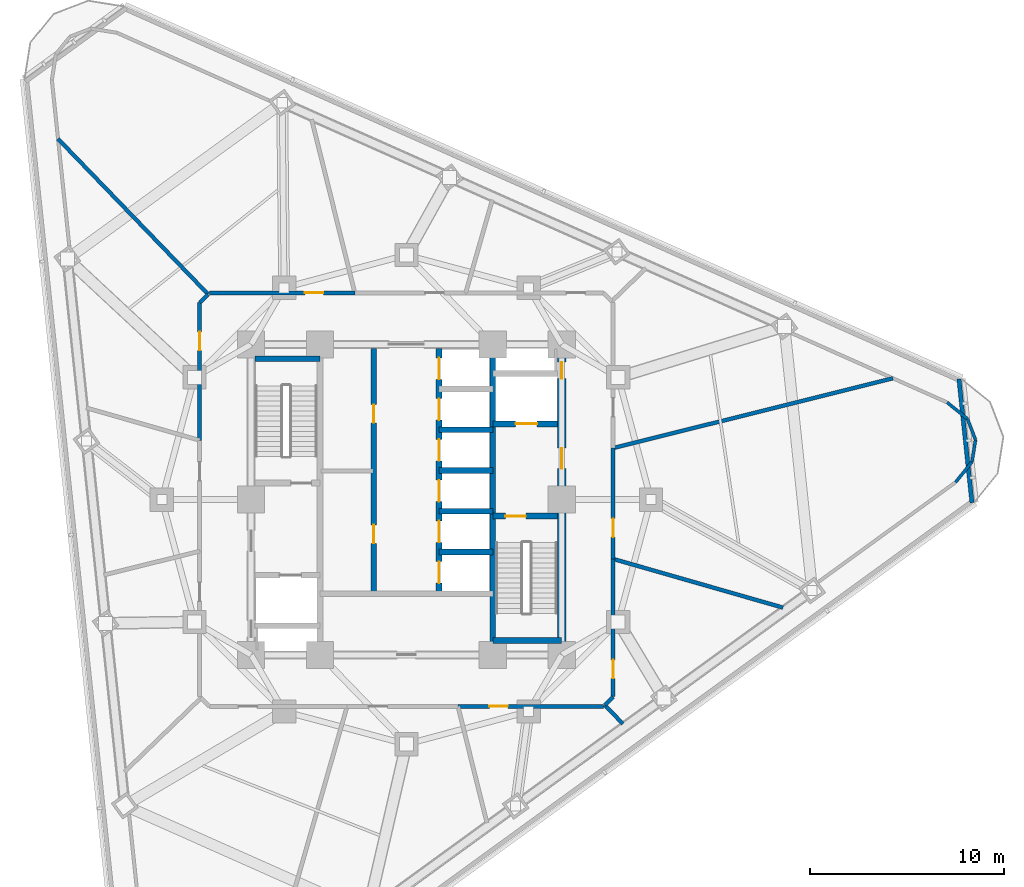
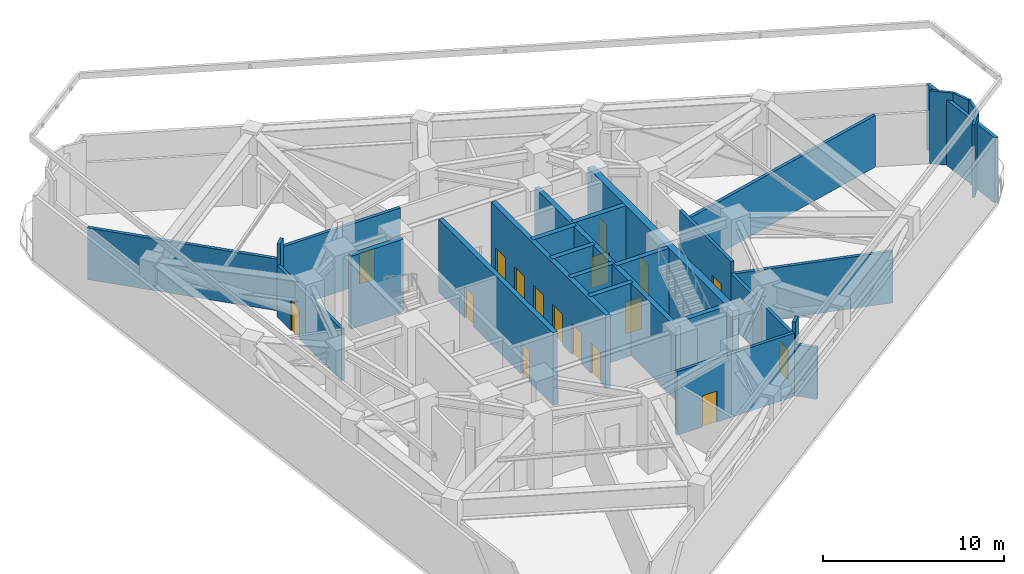
# One storey, part 4 of 10: 28 walls, 17 doors, 17 openings.
"""IFC4 building model written with IfcOpenShell, lengths in metres."""

import ifcopenshell
import ifcopenshell.guid

model = None  # the IFC model being written
_history = None  # IfcOwnerHistory: only IFC2X3 demands one
_inside = {}  # id of a spatial element -> (the spatial element, [elements in it])
_under = {}  # id of a project, library or spatial element -> (it, [spatial elements below it])
_declared = {}  # id of a project -> (the project, [libraries it declares])
_typed = {}  # id of a type object -> (the type object, [elements of that type])
_made_of = {}  # id of a material, layer set ... -> (it, [elements and type objects made of it])


def new_model(schema):
    """Start an empty IFC model of exactly this schema.

    Asked for "IFC4X3", IfcOpenShell would pick the latest addendum, in which some entities
    have other attributes; the version numbers below select the first issue.
    IFC2X3 requires an IfcOwnerHistory on every rooted entity: one is made here for all.
    """
    global model, _history
    if schema == "IFC4X3":
        model = ifcopenshell.file(schema_version=(4, 3, 0, 0))
    else:
        model = ifcopenshell.file(schema=schema)
    _inside.clear()
    _under.clear()
    _declared.clear()
    _typed.clear()
    _made_of.clear()
    _history = None
    if model.schema == "IFC2X3":
        org = make("IfcOrganization", Name="unknown")
        user = make(
            "IfcPersonAndOrganization",
            ThePerson=make("IfcPerson", FamilyName="unknown"),
            TheOrganization=org,
        )
        app = make(
            "IfcApplication",
            ApplicationDeveloper=org,
            Version="unknown",
            ApplicationFullName="unknown",
            ApplicationIdentifier="unknown",
        )
        _history = make(
            "IfcOwnerHistory",
            OwningUser=user,
            OwningApplication=app,
            ChangeAction="ADDED",
            CreationDate=0,
        )
    return model


def make(cls, **values):
    """One entity of the class cls with the attributes given. An attribute that is None is left unset."""
    return model.create_entity(
        cls, **{name: value for name, value in values.items() if value is not None}
    )


def rooted(cls, **values):
    """An entity with a GlobalId (a new one), such as an element, a storey or a relation."""
    return make(cls, GlobalId=ifcopenshell.guid.new(), OwnerHistory=_history, **values)


def si_unit(unit_type, name, prefix=None):
    """IfcSIUnit, for example si_unit("LENGTHUNIT", "METRE", prefix="MILLI")."""
    return make("IfcSIUnit", UnitType=unit_type, Prefix=prefix, Name=name)


def assignment(units):
    """IfcUnitAssignment: the units of a project."""
    return None if units is None else make("IfcUnitAssignment", Units=units)


def point(xyz):
    """IfcCartesianPoint."""
    return None if xyz is None else make("IfcCartesianPoint", Coordinates=xyz)


def direction(xyz):
    """IfcDirection."""
    return None if xyz is None else make("IfcDirection", DirectionRatios=xyz)


def frame(location, z_axis=None, x_axis=None):
    """IfcAxis2Placement3D, a coordinate frame: its origin and axes. An axis left out is left unset."""
    return make(
        "IfcAxis2Placement3D",
        Location=point(location),
        Axis=direction(z_axis),
        RefDirection=direction(x_axis),
    )


def frame_2d(location, x_axis=None):
    """IfcAxis2Placement2D, a coordinate frame in the plane: its origin and x axis."""
    return make(
        "IfcAxis2Placement2D", Location=point(location), RefDirection=direction(x_axis)
    )


def origin():
    """The frame at (0, 0, 0) with its axes left unset."""
    return frame((0.0, 0.0, 0.0))


def place(relative_to, where):
    """IfcLocalPlacement: puts the frame where relative to a parent placement (None: the world)."""
    return make(
        "IfcLocalPlacement", PlacementRelTo=relative_to, RelativePlacement=where
    )


def context(
    kind, dimensions, precision=None, world=None, true_north=None, identifier=None
):
    """IfcGeometricRepresentationContext, for example the 3D "Model" context."""
    return make(
        "IfcGeometricRepresentationContext",
        ContextIdentifier=identifier,
        ContextType=kind,
        CoordinateSpaceDimension=dimensions,
        Precision=precision,
        WorldCoordinateSystem=world,
        TrueNorth=true_north,
    )


def subcontext(parent, identifier, kind, view, scale=None):
    """IfcGeometricRepresentationSubContext, for example "Body" below "Model"."""
    return make(
        "IfcGeometricRepresentationSubContext",
        ContextIdentifier=identifier,
        ContextType=kind,
        ParentContext=parent,
        TargetScale=scale,
        TargetView=view,
    )


def project(units=None, contexts=None):
    """IfcProject with its units and contexts."""
    return rooted(
        "IfcProject",
        Name="project",
        RepresentationContexts=contexts,
        UnitsInContext=assignment(units),
    )


def spatial(cls, under=None, at=None, **own):
    """A site, building, storey or space (cls), placed at a placement, below another one or the project."""
    s = rooted(cls, ObjectPlacement=at, **own)
    if under is not None:
        _under.setdefault(under.id(), (under, []))[1].append(s)
    return s


def profile(cls, at=None, kind="AREA", **sizes):
    """A parametric profile (cls). Its sizes go by their IFC names, for example OverallWidth=200.0."""
    return make(cls, ProfileType=kind, Position=at, **sizes)


def rectangle(**sizes):
    """IfcRectangleProfileDef."""
    return profile("IfcRectangleProfileDef", **sizes)


def extrude(swept, where, along, depth):
    """IfcExtrudedAreaSolid: the profile swept, set in the frame where, extruded along a direction by depth."""
    return make(
        "IfcExtrudedAreaSolid",
        SweptArea=swept,
        Position=where,
        ExtrudedDirection=direction(along),
        Depth=depth,
    )


def shape(context_of_items, identifier, shape_type, items):
    """IfcShapeRepresentation: the items that make up one representation, for example the "Body"."""
    return make(
        "IfcShapeRepresentation",
        ContextOfItems=context_of_items,
        RepresentationIdentifier=identifier,
        RepresentationType=shape_type,
        Items=items,
    )


def material(Name=None, Category=None):
    """IfcMaterial."""
    return make("IfcMaterial", Name=Name, Category=Category)


def layer(
    of_material, thickness, ventilated=None, Name=None, Category=None, Priority=None
):
    """IfcMaterialLayer: one layer of a wall or slab, of a material (None: an air gap)."""
    return make(
        "IfcMaterialLayer",
        Material=of_material,
        LayerThickness=thickness,
        IsVentilated=ventilated,
        Name=Name,
        Category=Category,
        Priority=Priority,
    )


def layer_set(layers, Name=None):
    """IfcMaterialLayerSet."""
    return make("IfcMaterialLayerSet", MaterialLayers=layers, LayerSetName=Name)


def made_of(thing, what):
    """Note that an element or type object is made of a material, layer set ...; save() writes the relation."""
    if what is not None:
        _made_of.setdefault(what.id(), (what, []))[1].append(thing)
    return thing


def type_object(cls, material=None, **own):
    """A type object (cls), such as IfcWallType, which elements share."""
    return made_of(rooted(cls, **own), material)


def element(
    cls,
    number,
    at=None,
    inside=None,
    cuts=None,
    type_object=None,
    material=None,
    context=None,
    identifier="Body",
    shape_type=None,
    held_by="IfcProductDefinitionShape",
    body=None,
    shapes=None,
    **own,
):
    """One element of the class cls, such as IfcWall. Its Tag is "e" and its number.

    at: its placement. inside: the storey or other place that contains it. cuts: it is an
    opening in that element (IfcRelVoidsElement). A single representation is given by context,
    identifier, shape_type and body (its items); several are given by shapes. held_by: the class
    of the entity that holds the representations. save() writes the other relations.
    """
    e = rooted(cls, Tag="e%d" % number, ObjectPlacement=at, **own)
    if body is not None:
        shapes = [shape(context, identifier, shape_type, body)]
    if shapes is not None:
        e.Representation = make(held_by, Representations=shapes)
    if inside is not None:
        _inside.setdefault(inside.id(), (inside, []))[1].append(e)
    if cuts is not None:
        rooted(
            "IfcRelVoidsElement", RelatingBuildingElement=cuts, RelatedOpeningElement=e
        )
    if type_object is not None:
        _typed.setdefault(type_object.id(), (type_object, []))[1].append(e)
    return made_of(e, material)


def fill(opening, filler):
    """IfcRelFillsElement: the door or window that sits in an opening."""
    return rooted(
        "IfcRelFillsElement",
        RelatingOpeningElement=opening,
        RelatedBuildingElement=filler,
    )


def aggregate(whole, parts):
    """IfcRelAggregates: a whole, such as a stair, and the parts it consists of."""
    return rooted("IfcRelAggregates", RelatingObject=whole, RelatedObjects=parts)


def save(model, path):
    """Write the relations noted so far, then the file.

    IfcRelAggregates (storeys below a building ...), IfcRelContainedInSpatialStructure (elements
    in a storey), IfcRelDefinesByType, IfcRelAssociatesMaterial and IfcRelDeclares: one each for
    every whole, place, type object, material and project.
    """
    for whole, parts in _under.values():
        aggregate(whole, parts)
    for where, things in _inside.values():
        rooted(
            "IfcRelContainedInSpatialStructure",
            RelatedElements=things,
            RelatingStructure=where,
        )
    for kind, things in _typed.values():
        rooted("IfcRelDefinesByType", RelatedObjects=things, RelatingType=kind)
    for what, things in _made_of.values():
        rooted("IfcRelAssociatesMaterial", RelatedObjects=things, RelatingMaterial=what)
    for by, libraries in _declared.values():
        rooted("IfcRelDeclares", RelatingContext=by, RelatedDefinitions=libraries)
    model.write(path)


model = new_model("IFC4")

# Units and contexts
model_context = context("Model", 3, precision=1e-05, world=origin(), true_north=direction((0.0, 1.0)))
body_context = subcontext(model_context, "Body", "Model", "MODEL_VIEW")
ifc_project = project(units=[si_unit("LENGTHUNIT", "METRE"), si_unit("AREAUNIT", "SQUARE_METRE"), si_unit("VOLUMEUNIT", "CUBIC_METRE"), si_unit("PLANEANGLEUNIT", "RADIAN"), si_unit("MASSUNIT", "GRAM", prefix="KILO")], contexts=[model_context])

# Site, building, storey
site_placement = place(None, origin())
site = spatial("IfcSite", under=ifc_project, at=site_placement, CompositionType="ELEMENT")
building_placement = place(site_placement, origin())
building = spatial("IfcBuilding", under=site, at=building_placement, Name="Terralouvre Media Tower", CompositionType="ELEMENT")
storey_placement = place(building_placement, frame((0.0, 0.0, 149.5)))
storey = spatial("IfcBuildingStorey", under=building, at=storey_placement, Name="L38", CompositionType="ELEMENT", Elevation=149.5)

# Walls
ifc_material_1 = material(Name="Concrete C50/60", Category="concrete")
ifc_layer_1 = layer(ifc_material_1, 0.300048828125, Name="Core Internal Shaft Wall CW-300")
ifc_layer_set_1 = layer_set([ifc_layer_1], Name="Concrete C50/60")
wall_type_1 = type_object("IfcWallType", Name="Core Internal Shaft Wall CW-300", PredefinedType="SHEAR", material=ifc_layer_set_1)
wall_1_placement = place(storey_placement, frame((4.449951171875, -7.7900390625, 0.0), z_axis=(0.0, 0.0, 1.0), x_axis=(0.0, 1.0, 0.0)))
element("IfcWall", 1, at=wall_1_placement, inside=storey, type_object=wall_type_1, Name="L38 Core Shaft Wall SPE", PredefinedType="SHEAR", context=body_context, shape_type="SweptSolid", body=[
    extrude(rectangle(XDim=15.580078125, YDim=0.300048828125, at=frame_2d((7.7900390625, 0.0))), origin(), (0.0, 0.0, 1.0), 4.89990234375),
])
wall_2_placement = place(storey_placement, frame((-7.7900390625, 7.260009765625, 0.0), z_axis=(0.0, 0.0, 1.0), x_axis=(1.0, 0.0, 0.0)))
element("IfcWall", 2, at=wall_2_placement, inside=storey, type_object=wall_type_1, Name="L38 Core Shaft Wall ST1F", PredefinedType="SHEAR", context=body_context, shape_type="SweptSolid", body=[
    extrude(rectangle(XDim=3.340087890625, YDim=0.300048828125, at=frame_2d((1.669921875, 0.0))), origin(), (0.0, 0.0, 1.0), 4.89990234375),
])

# Wall, opening, door
wall_3_placement = place(storey_placement, frame((4.449951171875, -0.85009765625, 0.0), z_axis=(0.0, 0.0, 1.0), x_axis=(1.0, 0.0, 0.0)))
wall_3 = element("IfcWall", 3, at=wall_3_placement, inside=storey, type_object=wall_type_1, Name="L38 Core Shaft Wall ST2D", PredefinedType="SHEAR", context=body_context, shape_type="SweptSolid", body=[
    extrude(rectangle(XDim=3.340087890625, YDim=0.300048828125, at=frame_2d((1.669921875, 0.0))), origin(), (0.0, 0.0, 1.0), 4.89990234375),
])
opening_1_placement = place(wall_3_placement, frame((0.64990234375, 0.0, 0.0)))
opening_1 = element("IfcOpeningElement", 4, at=opening_1_placement, cuts=wall_3, Name="Opening FD-01-105X215", PredefinedType="OPENING", context=body_context, shape_type="SweptSolid", body=[
    extrude(rectangle(XDim=1.050048828125, YDim=2.14990234375, at=frame_2d((0.52490234375, 1.074951171875))), frame((0.0, 0.159912109375, 0.0), z_axis=(0.0, -1.0, 0.0), x_axis=(1.0, 0.0, 0.0)), (0.0, 0.0, 1.0), 0.320068359375),
])
ifc_material_2 = material(Name="Galvanised steel fire-resisting leaf", Category="steel")
door_type_1 = type_object("IfcDoorType", Name="Stair and Firefighting Lobby Fire Door FD-01 (1050x2150)", OperationType="NOTDEFINED", PredefinedType="DOOR", material=ifc_material_2)
door_1_placement = place(opening_1_placement, origin())
door_1 = element("IfcDoor", 5, at=door_1_placement, inside=storey, type_object=door_type_1, Name="L38 ST-02 Exit Stair Door", OperationType="SINGLE_SWING_RIGHT", OverallHeight=2.14990234375, OverallWidth=1.050048828125, PredefinedType="DOOR", context=body_context, shape_type="SweptSolid", body=[
    extrude(rectangle(XDim=1.050048828125, YDim=2.14990234375, at=frame_2d((0.52490234375, 1.074951171875))), frame((0.0, 0.02490234375, 0.0), z_axis=(0.0, -1.0, 0.0), x_axis=(1.0, 0.0, 0.0)), (0.0, 0.0, 1.0), 0.050048828125),
])
fill(opening_1, door_1)

# Wall
wall_4_placement = place(storey_placement, frame((4.449951171875, -7.260009765625, 0.0), z_axis=(0.0, 0.0, 1.0), x_axis=(1.0, 0.0, 0.0)))
element("IfcWall", 6, at=wall_4_placement, inside=storey, type_object=wall_type_1, Name="L38 Core Shaft Wall ST2F", PredefinedType="SHEAR", context=body_context, shape_type="SweptSolid", body=[
    extrude(rectangle(XDim=3.550048828125, YDim=0.300048828125, at=frame_2d((1.77490234375, 0.0))), origin(), (0.0, 0.0, 1.0), 4.89990234375),
])

# Wall, opening, door
wall_5_placement = place(storey_placement, frame((4.449951171875, 3.89990234375, 0.0), z_axis=(0.0, 0.0, 1.0), x_axis=(1.0, 0.0, 0.0)))
wall_5 = element("IfcWall", 7, at=wall_5_placement, inside=storey, type_object=wall_type_1, Name="L38 Core Shaft Wall FF2S", PredefinedType="SHEAR", context=body_context, shape_type="SweptSolid", body=[
    extrude(rectangle(XDim=3.340087890625, YDim=0.300048828125, at=frame_2d((1.669921875, 0.0))), origin(), (0.0, 0.0, 1.0), 4.89990234375),
])
opening_2_placement = place(wall_5_placement, frame((1.179931640625, 0.0, 0.0)))
opening_2 = element("IfcOpeningElement", 8, at=opening_2_placement, cuts=wall_5, Name="Opening LD-FF", PredefinedType="OPENING", context=body_context, shape_type="SweptSolid", body=[
    extrude(rectangle(XDim=1.10009765625, YDim=2.10009765625, at=frame_2d((0.550048828125, 1.050048828125))), frame((0.0, 0.159912109375, 0.0), z_axis=(0.0, -1.0, 0.0), x_axis=(1.0, 0.0, 0.0)), (0.0, 0.0, 1.0), 0.320068359375),
])
ifc_material_3 = material(Name="Stainless steel 316 handrail and balustrade", Category="steel")
door_type_2 = type_object("IfcDoorType", Name="Firefighting Lift Sliding Landing Door LD-FF", OperationType="SLIDING_TO_LEFT", PredefinedType="DOOR", material=ifc_material_3)
door_2_placement = place(opening_2_placement, origin())
door_2 = element("IfcDoor", 9, at=door_2_placement, inside=storey, type_object=door_type_2, Name="L38 Firefighting Lift FFL-02 Landing Door", OperationType="SLIDING_TO_LEFT", OverallHeight=2.10009765625, OverallWidth=1.10009765625, PredefinedType="DOOR", context=body_context, shape_type="SweptSolid", body=[
    extrude(rectangle(XDim=1.10009765625, YDim=2.10009765625, at=frame_2d((0.550048828125, 1.050048828125))), frame((0.0, 0.02490234375, 0.0), z_axis=(0.0, -1.0, 0.0), x_axis=(1.0, 0.0, 0.0)), (0.0, 0.0, 1.0), 0.050048828125),
])
fill(opening_2, door_2)

# Wall, openings, doors
wall_6_placement = place(storey_placement, frame((-1.679931640625, -4.85009765625, 0.0), z_axis=(0.0, 0.0, 1.0), x_axis=(0.0, 1.0, 0.0)))
wall_6 = element("IfcWall", 10, at=wall_6_placement, inside=storey, type_object=wall_type_1, Name="L38 Core Shaft Wall LBW", PredefinedType="SHEAR", context=body_context, shape_type="SweptSolid", body=[
    extrude(rectangle(XDim=12.64013671875, YDim=0.300048828125, at=frame_2d((6.320068359375, 0.0))), origin(), (0.0, 0.0, 1.0), 4.89990234375),
])
opening_3_placement = place(wall_6_placement, frame((2.60009765625, 0.0, 0.0)))
opening_3 = element("IfcOpeningElement", 11, at=opening_3_placement, cuts=wall_6, Name="Opening FD-02-95X210", PredefinedType="OPENING", context=body_context, shape_type="SweptSolid", body=[
    extrude(rectangle(XDim=0.949951171875, YDim=2.10009765625, at=frame_2d((0.47509765625, 1.050048828125))), frame((0.0, 0.159912109375, 0.0), z_axis=(0.0, -1.0, 0.0), x_axis=(1.0, 0.0, 0.0)), (0.0, 0.0, 1.0), 0.320068359375),
])
opening_4_placement = place(wall_6_placement, frame((8.800048828125, 0.0, 0.0)))
opening_4 = element("IfcOpeningElement", 12, at=opening_4_placement, cuts=wall_6, Name="Opening FD-04-95X210", PredefinedType="OPENING", context=body_context, shape_type="SweptSolid", body=[
    extrude(rectangle(XDim=0.949951171875, YDim=2.10009765625, at=frame_2d((0.47509765625, 1.050048828125))), frame((0.0, 0.159912109375, 0.0), z_axis=(0.0, -1.0, 0.0), x_axis=(1.0, 0.0, 0.0)), (0.0, 0.0, 1.0), 0.320068359375),
])
ifc_material_4 = material(Name="Galvanised steel fire-resisting leaf", Category="steel")
door_type_3 = type_object("IfcDoorType", Name="Core Store and Service Fire Door FD-04 (950x2100)", OperationType="NOTDEFINED", PredefinedType="DOOR", material=ifc_material_4)
door_3_placement = place(opening_4_placement, origin())
door_3 = element("IfcDoor", 13, at=door_3_placement, inside=storey, type_object=door_type_3, Name="L38 Core Linen Store Door", OperationType="SINGLE_SWING_RIGHT", OverallHeight=2.10009765625, OverallWidth=0.949951171875, PredefinedType="DOOR", context=body_context, shape_type="SweptSolid", body=[
    extrude(rectangle(XDim=0.949951171875, YDim=2.10009765625, at=frame_2d((0.47509765625, 1.050048828125))), frame((0.0, 0.02490234375, 0.0), z_axis=(0.0, -1.0, 0.0), x_axis=(1.0, 0.0, 0.0)), (0.0, 0.0, 1.0), 0.050048828125),
])
fill(opening_4, door_3)
ifc_material_5 = material(Name="Galvanised steel fire-resisting leaf", Category="steel")
door_type_4 = type_object("IfcDoorType", Name="Plant and Riser Fire Door FD-02 (950x2100)", OperationType="NOTDEFINED", PredefinedType="DOOR", material=ifc_material_5)
door_4_placement = place(opening_3_placement, origin())
door_4 = element("IfcDoor", 14, at=door_4_placement, inside=storey, type_object=door_type_4, Name="L38 Core Fibre Patch Plant Door", OperationType="SINGLE_SWING_LEFT", OverallHeight=2.10009765625, OverallWidth=0.949951171875, PredefinedType="DOOR", context=body_context, shape_type="SweptSolid", body=[
    extrude(rectangle(XDim=0.949951171875, YDim=2.10009765625, at=frame_2d((0.47509765625, 1.050048828125))), frame((0.0, 0.02490234375, 0.0), z_axis=(0.0, -1.0, 0.0), x_axis=(1.0, 0.0, 0.0)), (0.0, 0.0, 1.0), 0.050048828125),
])
fill(opening_3, door_4)

wall_7_placement = place(storey_placement, frame((1.679931640625, -4.85009765625, 0.0), z_axis=(0.0, 0.0, 1.0), x_axis=(0.0, 1.0, 0.0)))
wall_7 = element("IfcWall", 15, at=wall_7_placement, inside=storey, type_object=wall_type_1, Name="L38 Core Shaft Wall LBE", PredefinedType="SHEAR", context=body_context, shape_type="SweptSolid", body=[
    extrude(rectangle(XDim=12.64013671875, YDim=0.300048828125, at=frame_2d((6.320068359375, 0.0))), origin(), (0.0, 0.0, 1.0), 4.89990234375),
])
opening_5_placement = place(wall_7_placement, frame((0.550048828125, 0.0, 0.0)))
opening_5 = element("IfcOpeningElement", 16, at=opening_5_placement, cuts=wall_7, Name="Opening LD-PL", PredefinedType="OPENING", context=body_context, shape_type="SweptSolid", body=[
    extrude(rectangle(XDim=1.10009765625, YDim=2.10009765625, at=frame_2d((0.550048828125, 1.050048828125))), frame((0.0, 0.159912109375, 0.0), z_axis=(0.0, -1.0, 0.0), x_axis=(1.0, 0.0, 0.0)), (0.0, 0.0, 1.0), 0.320068359375),
])
opening_6_placement = place(wall_7_placement, frame((2.64990234375, 0.0, 0.0)))
opening_6 = element("IfcOpeningElement", 17, at=opening_6_placement, cuts=wall_7, Name="Opening LD-PL", PredefinedType="OPENING", context=body_context, shape_type="SweptSolid", body=[
    extrude(rectangle(XDim=1.10009765625, YDim=2.10009765625, at=frame_2d((0.550048828125, 1.050048828125))), frame((0.0, 0.159912109375, 0.0), z_axis=(0.0, -1.0, 0.0), x_axis=(1.0, 0.0, 0.0)), (0.0, 0.0, 1.0), 0.320068359375),
])
opening_7_placement = place(wall_7_placement, frame((4.75, 0.0, 0.0)))
opening_7 = element("IfcOpeningElement", 18, at=opening_7_placement, cuts=wall_7, Name="Opening LD-PL", PredefinedType="OPENING", context=body_context, shape_type="SweptSolid", body=[
    extrude(rectangle(XDim=1.10009765625, YDim=2.10009765625, at=frame_2d((0.550048828125, 1.050048828125))), frame((0.0, 0.159912109375, 0.0), z_axis=(0.0, -1.0, 0.0), x_axis=(1.0, 0.0, 0.0)), (0.0, 0.0, 1.0), 0.320068359375),
])
opening_8_placement = place(wall_7_placement, frame((6.85009765625, 0.0, 0.0)))
opening_8 = element("IfcOpeningElement", 19, at=opening_8_placement, cuts=wall_7, Name="Opening LD-PL", PredefinedType="OPENING", context=body_context, shape_type="SweptSolid", body=[
    extrude(rectangle(XDim=1.10009765625, YDim=2.10009765625, at=frame_2d((0.550048828125, 1.050048828125))), frame((0.0, 0.159912109375, 0.0), z_axis=(0.0, -1.0, 0.0), x_axis=(1.0, 0.0, 0.0)), (0.0, 0.0, 1.0), 0.320068359375),
])
opening_9_placement = place(wall_7_placement, frame((8.949951171875, 0.0, 0.0)))
opening_9 = element("IfcOpeningElement", 20, at=opening_9_placement, cuts=wall_7, Name="Opening LD-PL", PredefinedType="OPENING", context=body_context, shape_type="SweptSolid", body=[
    extrude(rectangle(XDim=1.10009765625, YDim=2.10009765625, at=frame_2d((0.550048828125, 1.050048828125))), frame((0.0, 0.159912109375, 0.0), z_axis=(0.0, -1.0, 0.0), x_axis=(1.0, 0.0, 0.0)), (0.0, 0.0, 1.0), 0.320068359375),
])
opening_10_placement = place(wall_7_placement, frame((11.050048828125, 0.0, 0.0)))
opening_10 = element("IfcOpeningElement", 21, at=opening_10_placement, cuts=wall_7, Name="Opening LD-PL", PredefinedType="OPENING", context=body_context, shape_type="SweptSolid", body=[
    extrude(rectangle(XDim=1.10009765625, YDim=2.10009765625, at=frame_2d((0.550048828125, 1.050048828125))), frame((0.0, 0.159912109375, 0.0), z_axis=(0.0, -1.0, 0.0), x_axis=(1.0, 0.0, 0.0)), (0.0, 0.0, 1.0), 0.320068359375),
])
ifc_material_6 = material(Name="Stainless steel 316 handrail and balustrade", Category="steel")
door_type_5 = type_object("IfcDoorType", Name="Passenger Lift Sliding Landing Door LD-PL", OperationType="SLIDING_TO_LEFT", PredefinedType="DOOR", material=ifc_material_6)
door_5_placement = place(opening_5_placement, origin())
door_5 = element("IfcDoor", 22, at=door_5_placement, inside=storey, type_object=door_type_5, Name="L38 High-Rise Lift PL-H1 Landing Door", OperationType="SLIDING_TO_LEFT", OverallHeight=2.10009765625, OverallWidth=1.10009765625, PredefinedType="DOOR", context=body_context, shape_type="SweptSolid", body=[
    extrude(rectangle(XDim=1.10009765625, YDim=2.10009765625, at=frame_2d((0.550048828125, 1.050048828125))), frame((0.0, 0.02490234375, 0.0), z_axis=(0.0, -1.0, 0.0), x_axis=(1.0, 0.0, 0.0)), (0.0, 0.0, 1.0), 0.050048828125),
])
fill(opening_5, door_5)
door_6_placement = place(opening_6_placement, origin())
door_6 = element("IfcDoor", 23, at=door_6_placement, inside=storey, type_object=door_type_5, Name="L38 High-Rise Lift PL-H2 Landing Door", OperationType="SLIDING_TO_LEFT", OverallHeight=2.10009765625, OverallWidth=1.10009765625, PredefinedType="DOOR", context=body_context, shape_type="SweptSolid", body=[
    extrude(rectangle(XDim=1.10009765625, YDim=2.10009765625, at=frame_2d((0.550048828125, 1.050048828125))), frame((0.0, 0.02490234375, 0.0), z_axis=(0.0, -1.0, 0.0), x_axis=(1.0, 0.0, 0.0)), (0.0, 0.0, 1.0), 0.050048828125),
])
fill(opening_6, door_6)
door_7_placement = place(opening_7_placement, origin())
door_7 = element("IfcDoor", 24, at=door_7_placement, inside=storey, type_object=door_type_5, Name="L38 High-Rise Lift PL-H3 Landing Door", OperationType="SLIDING_TO_LEFT", OverallHeight=2.10009765625, OverallWidth=1.10009765625, PredefinedType="DOOR", context=body_context, shape_type="SweptSolid", body=[
    extrude(rectangle(XDim=1.10009765625, YDim=2.10009765625, at=frame_2d((0.550048828125, 1.050048828125))), frame((0.0, 0.02490234375, 0.0), z_axis=(0.0, -1.0, 0.0), x_axis=(1.0, 0.0, 0.0)), (0.0, 0.0, 1.0), 0.050048828125),
])
fill(opening_7, door_7)
door_8_placement = place(opening_8_placement, origin())
door_8 = element("IfcDoor", 25, at=door_8_placement, inside=storey, type_object=door_type_5, Name="L38 Mid-Rise Lift PL-M1 Landing Door", OperationType="SLIDING_TO_LEFT", OverallHeight=2.10009765625, OverallWidth=1.10009765625, PredefinedType="DOOR", context=body_context, shape_type="SweptSolid", body=[
    extrude(rectangle(XDim=1.10009765625, YDim=2.10009765625, at=frame_2d((0.550048828125, 1.050048828125))), frame((0.0, 0.02490234375, 0.0), z_axis=(0.0, -1.0, 0.0), x_axis=(1.0, 0.0, 0.0)), (0.0, 0.0, 1.0), 0.050048828125),
])
fill(opening_8, door_8)
door_9_placement = place(opening_9_placement, origin())
door_9 = element("IfcDoor", 26, at=door_9_placement, inside=storey, type_object=door_type_5, Name="L38 Mid-Rise Lift PL-M2 Landing Door", OperationType="SLIDING_TO_LEFT", OverallHeight=2.10009765625, OverallWidth=1.10009765625, PredefinedType="DOOR", context=body_context, shape_type="SweptSolid", body=[
    extrude(rectangle(XDim=1.10009765625, YDim=2.10009765625, at=frame_2d((0.550048828125, 1.050048828125))), frame((0.0, 0.02490234375, 0.0), z_axis=(0.0, -1.0, 0.0), x_axis=(1.0, 0.0, 0.0)), (0.0, 0.0, 1.0), 0.050048828125),
])
fill(opening_9, door_9)
door_10_placement = place(opening_10_placement, origin())
door_10 = element("IfcDoor", 27, at=door_10_placement, inside=storey, type_object=door_type_5, Name="L38 Mid-Rise Lift PL-M3 Landing Door", OperationType="SLIDING_TO_LEFT", OverallHeight=2.10009765625, OverallWidth=1.10009765625, PredefinedType="DOOR", context=body_context, shape_type="SweptSolid", body=[
    extrude(rectangle(XDim=1.10009765625, YDim=2.10009765625, at=frame_2d((0.550048828125, 1.050048828125))), frame((0.0, 0.02490234375, 0.0), z_axis=(0.0, -1.0, 0.0), x_axis=(1.0, 0.0, 0.0)), (0.0, 0.0, 1.0), 0.050048828125),
])
fill(opening_10, door_10)

# Walls
for number, where, z_axis, x_axis, name in (
    (28, (1.679931640625, 1.5, 0.0), (0.0, 0.0, 1.0), (1.0, 0.0, 0.0), "L38 Core Shaft Wall PLMD0"),
    (29, (1.679931640625, 3.60009765625, 0.0), (0.0, 0.0, 1.0), (1.0, 0.0, 0.0), "L38 Core Shaft Wall PLMD1"),
    (30, (1.679931640625, -2.699951171875, 0.0), (0.0, 0.0, 1.0), (1.0, 0.0, 0.0), "L38 Core Shaft Wall PLHD1"),
    (31, (1.679931640625, -0.60009765625, 0.0), (0.0, 0.0, 1.0), (1.0, 0.0, 0.0), "L38 Core Shaft Wall PLHD2"),
):
    element("IfcWall", number, at=place(storey_placement, frame(where, z_axis=z_axis, x_axis=x_axis)), inside=storey, type_object=wall_type_1, Name=name, PredefinedType="SHEAR", context=body_context, shape_type="SweptSolid", body=[
        extrude(rectangle(XDim=2.77001953125, YDim=0.300048828125, at=frame_2d((1.385009765625, 0.0))), origin(), (0.0, 0.0, 1.0), 4.89990234375),
    ])

# Wall, openings, doors
ifc_material_7 = material(Name="Concrete C60/75", Category="concrete")
ifc_layer_2 = layer(ifc_material_7, 0.419921875, Name="Core Reinforced Concrete Shear Wall CW-420")
ifc_layer_set_2 = layer_set([ifc_layer_2], Name="Concrete C60/75")
wall_type_2 = type_object("IfcWallType", Name="Core Reinforced Concrete Shear Wall CW-420", PredefinedType="SHEAR", material=ifc_layer_set_2)
wall_8_placement = place(storey_placement, frame((8.0, -8.0, 0.0), z_axis=(0.0, 0.0, 1.0), x_axis=(0.0, 1.0, 0.0)))
wall_8 = element("IfcWall", 32, at=wall_8_placement, inside=storey, type_object=wall_type_2, Name="L38 E Core Shear Wall", PredefinedType="SHEAR", context=body_context, shape_type="SweptSolid", body=[
    extrude(rectangle(XDim=16.0, YDim=0.419921875, at=frame_2d((8.0, 0.0))), origin(), (0.0, 0.0, 1.0), 4.89990234375),
])
opening_11_placement = place(wall_8_placement, frame((9.60009765625, 0.0, 0.0)))
opening_11 = element("IfcOpeningElement", 33, at=opening_11_placement, cuts=wall_8, Name="Opening FD-01-105X215", PredefinedType="OPENING", context=body_context, shape_type="SweptSolid", body=[
    extrude(rectangle(XDim=1.050048828125, YDim=2.14990234375, at=frame_2d((0.52490234375, 1.074951171875))), frame((0.0, 0.219970703125, 0.0), z_axis=(0.0, -1.0, 0.0), x_axis=(1.0, 0.0, 0.0)), (0.0, 0.0, 1.0), 0.43994140625),
])
opening_12_placement = place(wall_8_placement, frame((14.228515625, 0.0, 0.0)))
opening_12 = element("IfcOpeningElement", 34, at=opening_12_placement, cuts=wall_8, Name="Opening TD-R1", PredefinedType="OPENING", context=body_context, shape_type="SweptSolid", body=[
    extrude(rectangle(XDim=0.85009765625, YDim=2.02001953125, at=frame_2d((0.425048828125, 1.010009765625))), frame((0.0, 0.219970703125, 0.0), z_axis=(0.0, -1.0, 0.0), x_axis=(1.0, 0.0, 0.0)), (0.0, 0.0, 1.0), 0.43994140625),
])
ifc_material_8 = material(Name="Galvanised steel fire-resisting leaf", Category="steel")
door_type_6 = type_object("IfcDoorType", Name="Riser Inspection Access Trapdoor TD-R1", OperationType="NOTDEFINED", PredefinedType="TRAPDOOR", material=ifc_material_8)
door_11_placement = place(opening_12_placement, origin())
door_11 = element("IfcDoor", 35, at=door_11_placement, inside=storey, type_object=door_type_6, Name="L38 East Comms Riser Access Trapdoor", OperationType="SINGLE_SWING_RIGHT", OverallHeight=2.02001953125, OverallWidth=0.85009765625, PredefinedType="TRAPDOOR", context=body_context, shape_type="SweptSolid", body=[
    extrude(rectangle(XDim=0.85009765625, YDim=2.02001953125, at=frame_2d((0.425048828125, 1.010009765625))), frame((0.0, 0.02490234375, 0.0), z_axis=(0.0, -1.0, 0.0), x_axis=(1.0, 0.0, 0.0)), (0.0, 0.0, 1.0), 0.050048828125),
])
fill(opening_12, door_11)
door_12_placement = place(opening_11_placement, origin())
door_12 = element("IfcDoor", 36, at=door_12_placement, inside=storey, type_object=door_type_1, Name="L38 East Firefighting Lobby Entry Door", OperationType="SINGLE_SWING_LEFT", OverallHeight=2.14990234375, OverallWidth=1.050048828125, PredefinedType="DOOR", context=body_context, shape_type="SweptSolid", body=[
    extrude(rectangle(XDim=1.050048828125, YDim=2.14990234375, at=frame_2d((0.52490234375, 1.074951171875))), frame((0.0, 0.02490234375, 0.0), z_axis=(0.0, -1.0, 0.0), x_axis=(1.0, 0.0, 0.0)), (0.0, 0.0, 1.0), 0.050048828125),
])
fill(opening_11, door_12)

# Walls
ifc_material_9 = material(Name="Fire-rated gypsum board drywall partition")
ifc_layer_3 = layer(ifc_material_9, 0.199951171875, Name="Fire-Rated Shaft and Lobby Partition FW-200")
ifc_layer_set_3 = layer_set([ifc_layer_3], Name="Fire-rated gypsum board drywall partition")
wall_type_3 = type_object("IfcWallType", Name="Fire-Rated Shaft and Lobby Partition FW-200", PredefinedType="SOLIDWALL", material=ifc_layer_set_3)
wall_9_placement = place(storey_placement, frame((27.858154296875, 5.00732421875, 0.0), z_axis=(0.0, 0.0, 1.0), x_axis=(0.777215343693, -0.629234701466, 0.0)))
element("IfcWall", 37, at=wall_9_placement, inside=storey, type_object=wall_type_3, Name="L38 Belt-Truss Acoustic Plenum Liner Wall 07", PredefinedType="SOLIDWALL", context=body_context, shape_type="SweptSolid", body=[
    extrude(rectangle(XDim=1.347900390625, YDim=0.159912109375, at=frame_2d((0.673828125, 0.0))), origin(), (0.0, 0.0, 1.0), 4.89990234375),
])
for number, where, z_axis, x_axis, name in (
    (38, (28.90576171875, 4.1591796875, 0.0), (0.0, 0.0, 1.0), (0.35829866175, -0.93360702064, 0.0), "L38 Belt-Truss Acoustic Plenum Liner Wall 08"),
    (39, (29.3193359375, 3.08154296875, 0.0), (0.0, 0.0, 1.0), (-0.156505575092, -0.987677075245, 0.0), "L38 Belt-Truss Acoustic Plenum Liner Wall 09"),
):
    element("IfcWall", number, at=place(storey_placement, frame(where, z_axis=z_axis, x_axis=x_axis)), inside=storey, type_object=wall_type_3, Name=name, PredefinedType="SOLIDWALL", context=body_context, shape_type="SweptSolid", body=[
        extrude(rectangle(XDim=1.154296875, YDim=0.159912109375, at=frame_2d((0.5771484375, 0.0))), origin(), (0.0, 0.0, 1.0), 4.89990234375),
    ])
wall_10_placement = place(storey_placement, frame((29.138671875, 1.94140625, 0.0), z_axis=(0.0, 0.0, 1.0), x_axis=(-0.629323290095, -0.777143613848, 0.0)))
element("IfcWall", 40, at=wall_10_placement, inside=storey, type_object=wall_type_3, Name="L38 Belt-Truss Acoustic Plenum Liner Wall 10", PredefinedType="SOLIDWALL", context=body_context, shape_type="SweptSolid", body=[
    extrude(rectangle(XDim=1.34765625, YDim=0.159912109375, at=frame_2d((0.673828125, 0.0))), origin(), (0.0, 0.0, 1.0), 4.89990234375),
])

# Wall, opening, door
wall_11_placement = place(storey_placement, frame((2.655029296875, -10.64990234375, 0.0), z_axis=(0.0, 0.0, 1.0), x_axis=(1.0, 0.0, 0.0)))
wall_11 = element("IfcWall", 41, at=wall_11_placement, inside=storey, type_object=wall_type_3, Name="L38 Interior Partition 005", PredefinedType="SOLIDWALL", context=body_context, shape_type="SweptSolid", body=[
    extrude(rectangle(XDim=7.494873046875, YDim=0.199951171875, at=frame_2d((3.74755859375, 0.0))), origin(), (0.0, 0.0, 1.0), 4.284912109375),
])
opening_13_placement = place(wall_11_placement, frame((1.62353515625, 0.0, 0.0)))
opening_13 = element("IfcOpeningElement", 42, at=opening_13_placement, cuts=wall_11, Name="Opening FD-02-95X210", PredefinedType="OPENING", context=body_context, shape_type="SweptSolid", body=[
    extrude(rectangle(XDim=0.949951171875, YDim=2.10009765625, at=frame_2d((0.47509765625, 1.050048828125))), frame((0.0, 0.10986328125, 0.0), z_axis=(0.0, -1.0, 0.0), x_axis=(1.0, 0.0, 0.0)), (0.0, 0.0, 1.0), 0.219970703125),
])
door_13_placement = place(opening_13_placement, origin())
door_13 = element("IfcDoor", 43, at=door_13_placement, inside=storey, type_object=door_type_4, Name="L38 Chilled-Water Heat-Exchanger Plant Room Door", OperationType="SINGLE_SWING_LEFT", OverallHeight=2.10009765625, OverallWidth=0.949951171875, PredefinedType="DOOR", context=body_context, shape_type="SweptSolid", body=[
    extrude(rectangle(XDim=0.949951171875, YDim=2.10009765625, at=frame_2d((0.47509765625, 1.050048828125))), frame((0.0, 0.02490234375, 0.0), z_axis=(0.0, -1.0, 0.0), x_axis=(1.0, 0.0, 0.0)), (0.0, 0.0, 1.0), 0.050048828125),
])
fill(opening_13, door_13)

# Wall
wall_12_placement = place(storey_placement, frame((10.218017578125, -10.58203125, 0.0), z_axis=(0.0, 0.0, 1.0), x_axis=(0.706906948845, 0.70730655707, 0.0)))
element("IfcWall", 44, at=wall_12_placement, inside=storey, type_object=wall_type_3, Name="L38 Interior Partition 006", PredefinedType="SOLIDWALL", context=body_context, shape_type="SweptSolid", body=[
    extrude(rectangle(XDim=0.61083984375, YDim=0.199951171875, at=frame_2d((0.305419921875, 0.0))), origin(), (0.0, 0.0, 1.0), 4.89990234375),
])

# Wall, opening, door
wall_13_placement = place(storey_placement, frame((10.64990234375, -10.14990234375, 0.0), z_axis=(0.0, 0.0, 1.0), x_axis=(0.0, 1.0, 0.0)))
wall_13 = element("IfcWall", 45, at=wall_13_placement, inside=storey, type_object=wall_type_3, Name="L38 Interior Partition 007", PredefinedType="SOLIDWALL", context=body_context, shape_type="SweptSolid", body=[
    extrude(rectangle(XDim=7.095947265625, YDim=0.199951171875, at=frame_2d((3.5478515625, 0.0))), origin(), (0.0, 0.0, 1.0), 3.485107421875),
])
opening_14_placement = place(wall_13_placement, frame((0.944091796875, 0.0, 0.0)))
opening_14 = element("IfcOpeningElement", 46, at=opening_14_placement, cuts=wall_13, Name="Opening FD-02-95X210", PredefinedType="OPENING", context=body_context, shape_type="SweptSolid", body=[
    extrude(rectangle(XDim=0.949951171875, YDim=2.10009765625, at=frame_2d((0.47509765625, 1.050048828125))), frame((0.0, 0.10986328125, 0.0), z_axis=(0.0, -1.0, 0.0), x_axis=(1.0, 0.0, 0.0)), (0.0, 0.0, 1.0), 0.219970703125),
])
door_14_placement = place(opening_14_placement, origin())
door_14 = element("IfcDoor", 47, at=door_14_placement, inside=storey, type_object=door_type_4, Name="L38 High-Voltage Transformer and Switchgear Plant Room Door", OperationType="SINGLE_SWING_RIGHT", OverallHeight=2.10009765625, OverallWidth=0.949951171875, PredefinedType="DOOR", context=body_context, shape_type="SweptSolid", body=[
    extrude(rectangle(XDim=0.949951171875, YDim=2.10009765625, at=frame_2d((0.47509765625, 1.050048828125))), frame((0.0, 0.02490234375, 0.0), z_axis=(0.0, -1.0, 0.0), x_axis=(1.0, 0.0, 0.0)), (0.0, 0.0, 1.0), 0.050048828125),
])
fill(opening_14, door_14)

wall_14_placement = place(storey_placement, frame((10.64990234375, -3.053955078125, 0.0), z_axis=(0.0, 0.0, 1.0), x_axis=(0.0, 1.0, 0.0)))
wall_14 = element("IfcWall", 48, at=wall_14_placement, inside=storey, type_object=wall_type_3, Name="L38 Interior Partition 008", PredefinedType="SOLIDWALL", context=body_context, shape_type="SweptSolid", body=[
    extrude(rectangle(XDim=5.708984375, YDim=0.199951171875, at=frame_2d((2.8544921875, 0.0))), origin(), (0.0, 0.0, 1.0), 4.284912109375),
])
opening_15_placement = place(wall_14_placement, frame((1.12353515625, 0.0, 0.0)))
opening_15 = element("IfcOpeningElement", 49, at=opening_15_placement, cuts=wall_14, Name="Opening FD-02-95X210", PredefinedType="OPENING", context=body_context, shape_type="SweptSolid", body=[
    extrude(rectangle(XDim=0.949951171875, YDim=2.10009765625, at=frame_2d((0.47509765625, 1.050048828125))), frame((0.0, 0.10986328125, 0.0), z_axis=(0.0, -1.0, 0.0), x_axis=(1.0, 0.0, 0.0)), (0.0, 0.0, 1.0), 0.219970703125),
])
door_15_placement = place(opening_15_placement, origin())
door_15 = element("IfcDoor", 50, at=door_15_placement, inside=storey, type_object=door_type_4, Name="L38 Emergency Stair Pressurisation Fan Plant Room Door", OperationType="SINGLE_SWING_LEFT", OverallHeight=2.10009765625, OverallWidth=0.949951171875, PredefinedType="DOOR", context=body_context, shape_type="SweptSolid", body=[
    extrude(rectangle(XDim=0.949951171875, YDim=2.10009765625, at=frame_2d((0.47509765625, 1.050048828125))), frame((0.0, 0.02490234375, 0.0), z_axis=(0.0, -1.0, 0.0), x_axis=(1.0, 0.0, 0.0)), (0.0, 0.0, 1.0), 0.050048828125),
])
fill(opening_15, door_15)

wall_15_placement = place(storey_placement, frame((-2.655029296875, 10.64990234375, 0.0), z_axis=(0.0, 0.0, 1.0), x_axis=(-1.0, 0.0, 0.0)))
wall_15 = element("IfcWall", 51, at=wall_15_placement, inside=storey, type_object=wall_type_3, Name="L38 Interior Partition 013", PredefinedType="SOLIDWALL", context=body_context, shape_type="SweptSolid", body=[
    extrude(rectangle(XDim=7.494873046875, YDim=0.199951171875, at=frame_2d((3.74755859375, 0.0))), origin(), (0.0, 0.0, 1.0), 4.284912109375),
])
opening_16_placement = place(wall_15_placement, frame((1.62353515625, 0.0, 0.0)))
opening_16 = element("IfcOpeningElement", 52, at=opening_16_placement, cuts=wall_15, Name="Opening FD-02-95X210", PredefinedType="OPENING", context=body_context, shape_type="SweptSolid", body=[
    extrude(rectangle(XDim=0.949951171875, YDim=2.10009765625, at=frame_2d((0.47509765625, 1.050048828125))), frame((0.0, 0.10986328125, 0.0), z_axis=(0.0, -1.0, 0.0), x_axis=(1.0, 0.0, 0.0)), (0.0, 0.0, 1.0), 0.219970703125),
])
door_16_placement = place(opening_16_placement, origin())
door_16 = element("IfcDoor", 53, at=door_16_placement, inside=storey, type_object=door_type_4, Name="L38 Condenser Water Booster Pump Plant Room Door", OperationType="SINGLE_SWING_LEFT", OverallHeight=2.10009765625, OverallWidth=0.949951171875, PredefinedType="DOOR", context=body_context, shape_type="SweptSolid", body=[
    extrude(rectangle(XDim=0.949951171875, YDim=2.10009765625, at=frame_2d((0.47509765625, 1.050048828125))), frame((0.0, 0.02490234375, 0.0), z_axis=(0.0, -1.0, 0.0), x_axis=(1.0, 0.0, 0.0)), (0.0, 0.0, 1.0), 0.050048828125),
])
fill(opening_16, door_16)

# Wall
wall_16_placement = place(storey_placement, frame((-10.218017578125, 10.58203125, 0.0), z_axis=(0.0, 0.0, 1.0), x_axis=(-0.706906948845, -0.70730655707, 0.0)))
element("IfcWall", 54, at=wall_16_placement, inside=storey, type_object=wall_type_3, Name="L38 Interior Partition 014", PredefinedType="SOLIDWALL", context=body_context, shape_type="SweptSolid", body=[
    extrude(rectangle(XDim=0.61083984375, YDim=0.199951171875, at=frame_2d((0.305419921875, 0.0))), origin(), (0.0, 0.0, 1.0), 4.89990234375),
])

# Wall, opening, door
wall_17_placement = place(storey_placement, frame((-10.64990234375, 10.14990234375, 0.0), z_axis=(0.0, 0.0, 1.0), x_axis=(0.0, -1.0, 0.0)))
wall_17 = element("IfcWall", 55, at=wall_17_placement, inside=storey, type_object=wall_type_3, Name="L38 Interior Partition 015", PredefinedType="SOLIDWALL", context=body_context, shape_type="SweptSolid", body=[
    extrude(rectangle(XDim=7.095947265625, YDim=0.199951171875, at=frame_2d((3.5478515625, 0.0))), origin(), (0.0, 0.0, 1.0), 3.485107421875),
])
opening_17_placement = place(wall_17_placement, frame((1.511962890625, 0.0, 0.0)))
opening_17 = element("IfcOpeningElement", 56, at=opening_17_placement, cuts=wall_17, Name="Opening FD-02-95X210", PredefinedType="OPENING", context=body_context, shape_type="SweptSolid", body=[
    extrude(rectangle(XDim=0.949951171875, YDim=2.10009765625, at=frame_2d((0.47509765625, 1.050048828125))), frame((0.0, 0.10986328125, 0.0), z_axis=(0.0, -1.0, 0.0), x_axis=(1.0, 0.0, 0.0)), (0.0, 0.0, 1.0), 0.219970703125),
])
door_17_placement = place(opening_17_placement, origin())
door_17 = element("IfcDoor", 57, at=door_17_placement, inside=storey, type_object=door_type_4, Name="L38 Belt-Truss Damper Hydraulic Plant Room Door", OperationType="SINGLE_SWING_RIGHT", OverallHeight=2.10009765625, OverallWidth=0.949951171875, PredefinedType="DOOR", context=body_context, shape_type="SweptSolid", body=[
    extrude(rectangle(XDim=0.949951171875, YDim=2.10009765625, at=frame_2d((0.47509765625, 1.050048828125))), frame((0.0, 0.02490234375, 0.0), z_axis=(0.0, -1.0, 0.0), x_axis=(1.0, 0.0, 0.0)), (0.0, 0.0, 1.0), 0.050048828125),
])
fill(opening_17, door_17)

# Walls
wall_18_placement = place(storey_placement, frame((11.156982421875, -11.55419921875, 0.0), z_axis=(0.0, 0.0, 1.0), x_axis=(-0.694717001031, 0.719283176835, 0.0)))
element("IfcWall", 58, at=wall_18_placement, inside=storey, type_object=wall_type_3, Name="L38 Interior Partition 021", PredefinedType="SOLIDWALL", context=body_context, shape_type="SweptSolid", body=[
    extrude(rectangle(XDim=1.3515625, YDim=0.199951171875, at=frame_2d((0.67578125, 0.0))), origin(), (0.0, 0.0, 1.0), 3.485107421875),
])
wall_19_placement = place(storey_placement, frame((19.402099609375, -5.56396484375, 0.0), z_axis=(0.0, 0.0, 1.0), x_axis=(-0.961251289388, 0.275673645184, 0.0)))
element("IfcWall", 59, at=wall_19_placement, inside=storey, type_object=wall_type_3, Name="L38 Interior Partition 022", PredefinedType="SOLIDWALL", context=body_context, shape_type="SweptSolid", body=[
    extrude(rectangle(XDim=9.10498046875, YDim=0.199951171875, at=frame_2d((4.552490234375, 0.0))), origin(), (0.0, 0.0, 1.0), 3.485107421875),
])
wall_20_placement = place(storey_placement, frame((25.067138671875, 6.25, 0.0), z_axis=(0.0, 0.0, 1.0), x_axis=(-0.970290197349, -0.241944069835, 0.0)))
element("IfcWall", 60, at=wall_20_placement, inside=storey, type_object=wall_type_3, Name="L38 Interior Partition 023", PredefinedType="SOLIDWALL", context=body_context, shape_type="SweptSolid", body=[
    extrude(rectangle(XDim=14.858642578125, YDim=0.199951171875, at=frame_2d((7.42919921875, 0.0))), origin(), (0.0, 0.0, 1.0), 3.485107421875),
])
wall_21_placement = place(storey_placement, frame((-17.9462890625, 18.58447265625, 0.0), z_axis=(0.0, 0.0, 1.0), x_axis=(0.694677144831, -0.719321669665, 0.0)))
element("IfcWall", 61, at=wall_21_placement, inside=storey, type_object=wall_type_3, Name="L38 Interior Partition 027", PredefinedType="SOLIDWALL", context=body_context, shape_type="SweptSolid", body=[
    extrude(rectangle(XDim=11.125, YDim=0.199951171875, at=frame_2d((5.5625, 0.0))), origin(), (0.0, 0.0, 1.0), 3.485107421875),
])
ifc_material_10 = material(Name="Kiln-fired architectural terracotta rainscreen cladding", Category="masonry")
ifc_layer_4 = layer(ifc_material_10, 0.260009765625, Name="Recessed Sky-Garden Acoustic Wall EW-SG260")
ifc_layer_set_4 = layer_set([ifc_layer_4], Name="Kiln-fired architectural terracotta rainscreen cladding")
wall_type_4 = type_object("IfcWallType", Name="Recessed Sky-Garden Acoustic Wall EW-SG260", PredefinedType="SOLIDWALL", material=ifc_layer_set_4)
wall_22_placement = place(storey_placement, frame((29.13720703125, -0.159423828125, 0.0), z_axis=(0.0, 0.0, 1.0), x_axis=(-0.104538031838, 0.994520889624, 0.0)))
element("IfcWall", 62, at=wall_22_placement, inside=storey, type_object=wall_type_4, Name="L38 Rounded Wind-Corner Curtain Wall C1 Acoustic Plant Plinth Wall", PredefinedType="SOLIDWALL", context=body_context, shape_type="SweptSolid", body=[
    extrude(rectangle(XDim=6.408447265625, YDim=0.219970703125, at=frame_2d((3.2041015625, 0.0))), origin(), (0.0, 0.0, 1.0), 4.39990234375),
])

save(model, "model.ifc")
